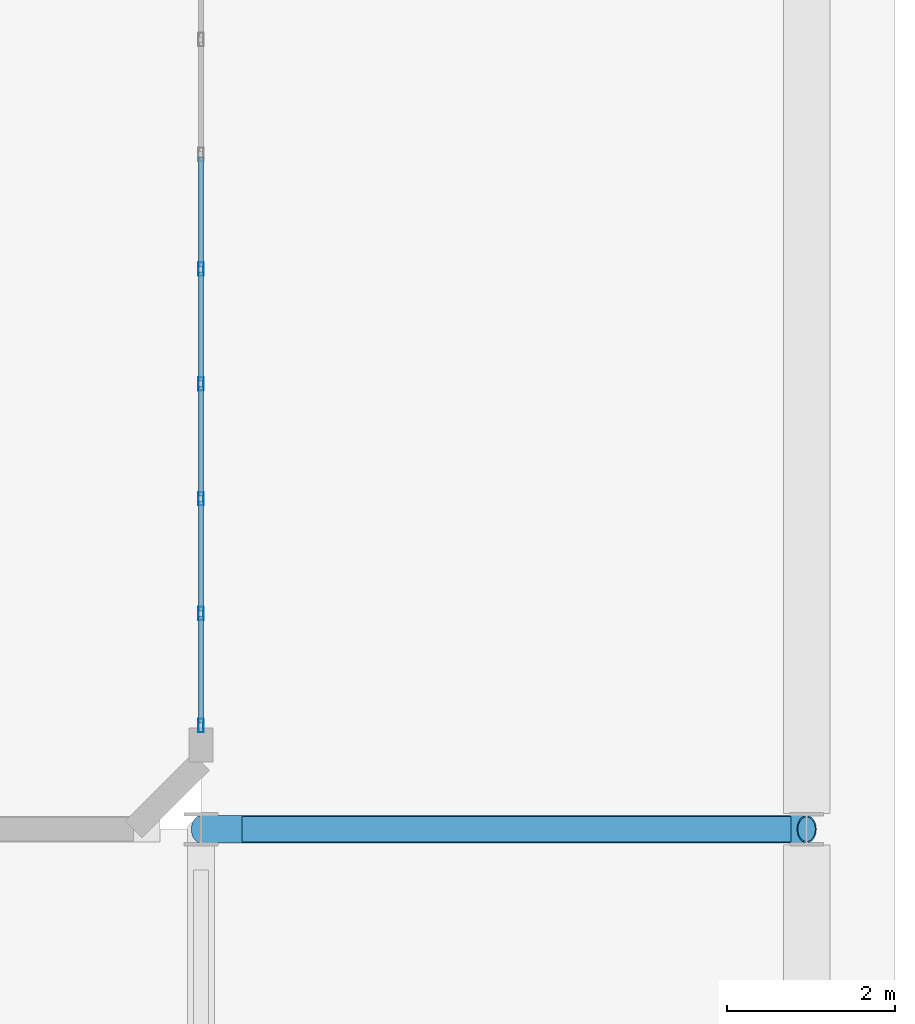
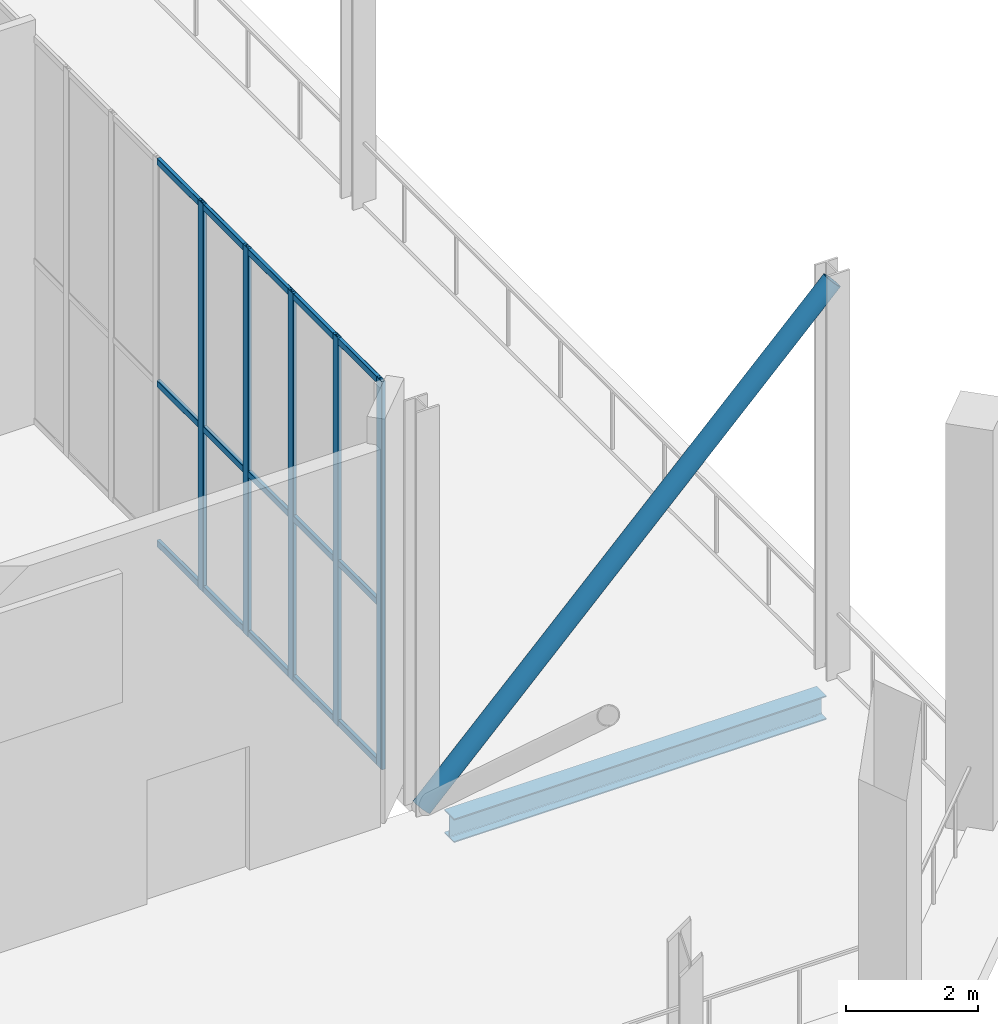
# One storey, part 16 of 23: 21 members, 1 beam, 1 element without a shape of its own.
"""IFC4 building model written with IfcOpenShell, lengths in metres."""

from ifc_helpers import new_model, si_unit, direction, frame, origin, origin_2d, place, context, subcontext, project, spatial, hollow_rectangle, hollow_circle, i_section, extrude, material, layer, layer_set, material_profile, profile_set, type_object, element, aggregate, save


model = new_model("IFC4")

# Units and contexts
model_context = context("Model", 3, precision=1e-05, world=origin(), true_north=direction((0.0, 1.0)))
body_context = subcontext(model_context, "Body", "Model", "MODEL_VIEW")
ifc_project = project(units=[si_unit("LENGTHUNIT", "METRE"), si_unit("AREAUNIT", "SQUARE_METRE"), si_unit("VOLUMEUNIT", "CUBIC_METRE"), si_unit("PLANEANGLEUNIT", "RADIAN"), si_unit("MASSUNIT", "GRAM", prefix="KILO")], contexts=[model_context])

# Site, building, storey
site_placement = place(None, origin())
site = spatial("IfcSite", under=ifc_project, at=site_placement, CompositionType="ELEMENT")
building_placement = place(site_placement, origin())
building = spatial("IfcBuilding", under=site, at=building_placement, Name="Kaelvorn Grand Hotel", CompositionType="ELEMENT")
storey_placement = place(building_placement, frame((0.0, 0.0, 310.699951171875)))
storey = spatial("IfcBuildingStorey", under=building, at=storey_placement, Name="L75", CompositionType="ELEMENT", Elevation=310.699951171875)

# Beam
ifc_material_1 = material(Name="Steel S355", Category="steel")
ifc_material_profile_1 = material_profile(ifc_material_1, i_section(OverallWidth=0.300048828125, OverallDepth=0.43994140625, WebThickness=0.011474609375, FlangeThickness=0.02099609375, FilletRadius=0.027099609375, at=origin_2d()), Name="HEA 450")
ifc_profile_set_1 = profile_set([ifc_material_profile_1], Name="Steel S355")
beam_type = type_object("IfcBeamType", Name="BM-G-HEA450-S355", PredefinedType="BEAM", material=ifc_profile_set_1)
beam_placement = place(storey_placement, frame((68.284912109375, 15.0, -0.52001953125), z_axis=(1.0, 0.0, 0.0), x_axis=(0.0, 1.0, 0.0)))
element("IfcBeam", 1, at=beam_placement, inside=storey, type_object=beam_type, Name="L75 Primary Spine Steel Girder G-15 05", PredefinedType="BEAM", context=body_context, shape_type="SweptSolid", body=[
    extrude(i_section(OverallWidth=0.300048828125, OverallDepth=0.43994140625, WebThickness=0.011474609375, FlangeThickness=0.02099609375, FilletRadius=0.027099609375, at=origin_2d()), origin(), (0.0, 0.0, 1.0), 6.530029296875),
])

# Curtain wall, members
ifc_material_2 = material(Name="Anodised Aluminium", Category="aluminium")
ifc_layer = layer(ifc_material_2, 0.159912109375)
ifc_layer_set = layer_set([ifc_layer], Name="Anodised Aluminium")
curtain_wall_type = type_object("IfcCurtainWallType", Name="CW-SYS6", PredefinedType="NOTDEFINED", material=ifc_layer_set)
curtain_wall_placement = place(storey_placement, origin())
curtain_wall = element("IfcCurtainWall", 2, at=curtain_wall_placement, inside=storey, type_object=curtain_wall_type, Name="L75 Unitised Curtain Wall CW6 (CW-L75-E-01)", PredefinedType="NOTDEFINED")
ifc_material_profile_2 = material_profile(ifc_material_2, hollow_rectangle(XDim=0.06494140625, YDim=0.159912109375, WallThickness=0.00341796875, InnerFilletRadius=0.00341796875, OuterFilletRadius=0.007080078125, at=origin_2d()), Name="ALU MULL 65x160")
ifc_profile_set_2 = profile_set([ifc_material_profile_2], Name="Anodised Aluminium")
member_type_1 = type_object("IfcMemberType", Name="CW-SYS6-MULL", PredefinedType="MULLION", material=ifc_profile_set_2)
member_1_placement = place(storey_placement, frame((67.800048828125, 16.232421875, 0.0), z_axis=(0.0, 0.0, 1.0), x_axis=(-1.0, 0.0, 0.0)))
member_1 = element("IfcMember", 3, at=member_1_placement, type_object=member_type_1, Name="CW6 mullion 1", PredefinedType="MULLION", context=body_context, shape_type="SweptSolid", body=[
    extrude(hollow_rectangle(XDim=0.06494140625, YDim=0.159912109375, WallThickness=0.00341796875, InnerFilletRadius=0.00341796875, OuterFilletRadius=0.007080078125, at=origin_2d()), origin(), (0.0, 0.0, 1.0), 7.199951171875),
])
member_2_placement = place(storey_placement, frame((67.800048828125, 17.564453125, 0.0), z_axis=(0.0, 0.0, 1.0), x_axis=(-1.0, 0.0, 0.0)))
member_2 = element("IfcMember", 4, at=member_2_placement, type_object=member_type_1, Name="CW6 mullion 2", PredefinedType="MULLION", context=body_context, shape_type="SweptSolid", body=[
    extrude(hollow_rectangle(XDim=0.06494140625, YDim=0.159912109375, WallThickness=0.00341796875, InnerFilletRadius=0.00341796875, OuterFilletRadius=0.007080078125, at=origin_2d()), origin(), (0.0, 0.0, 1.0), 7.199951171875),
])
member_3_placement = place(storey_placement, frame((67.800048828125, 18.928955078125, 0.0), z_axis=(0.0, 0.0, 1.0), x_axis=(-1.0, 0.0, 0.0)))
member_3 = element("IfcMember", 5, at=member_3_placement, type_object=member_type_1, Name="CW6 mullion 3", PredefinedType="MULLION", context=body_context, shape_type="SweptSolid", body=[
    extrude(hollow_rectangle(XDim=0.06494140625, YDim=0.159912109375, WallThickness=0.00341796875, InnerFilletRadius=0.00341796875, OuterFilletRadius=0.007080078125, at=origin_2d()), origin(), (0.0, 0.0, 1.0), 7.199951171875),
])
member_4_placement = place(storey_placement, frame((67.800048828125, 20.293212890625, 0.0), z_axis=(0.0, 0.0, 1.0), x_axis=(-1.0, 0.0, 0.0)))
member_4 = element("IfcMember", 6, at=member_4_placement, type_object=member_type_1, Name="CW6 mullion 4", PredefinedType="MULLION", context=body_context, shape_type="SweptSolid", body=[
    extrude(hollow_rectangle(XDim=0.06494140625, YDim=0.159912109375, WallThickness=0.00341796875, InnerFilletRadius=0.00341796875, OuterFilletRadius=0.007080078125, at=origin_2d()), origin(), (0.0, 0.0, 1.0), 7.199951171875),
])
member_5_placement = place(storey_placement, frame((67.800048828125, 21.65771484375, 0.0), z_axis=(0.0, 0.0, 1.0), x_axis=(-1.0, 0.0, 0.0)))
member_5 = element("IfcMember", 7, at=member_5_placement, type_object=member_type_1, Name="CW6 mullion 5", PredefinedType="MULLION", context=body_context, shape_type="SweptSolid", body=[
    extrude(hollow_rectangle(XDim=0.06494140625, YDim=0.159912109375, WallThickness=0.00341796875, InnerFilletRadius=0.00341796875, OuterFilletRadius=0.007080078125, at=origin_2d()), origin(), (0.0, 0.0, 1.0), 7.199951171875),
])
ifc_material_profile_3 = material_profile(ifc_material_2, hollow_rectangle(XDim=0.06494140625, YDim=0.1201171875, WallThickness=0.00341796875, InnerFilletRadius=0.00341796875, OuterFilletRadius=0.007080078125, at=origin_2d()), Name="ALU TRAN 65x120")
ifc_profile_set_3 = profile_set([ifc_material_profile_3], Name="Anodised Aluminium")
member_type_2 = type_object("IfcMemberType", Name="CW-SYS6-TRAN", PredefinedType="NOTDEFINED", material=ifc_profile_set_3)
member_6_placement = place(storey_placement, frame((67.800048828125, 16.264892578125, 0.06005859375), z_axis=(0.0, 1.0, 0.0), x_axis=(-1.0, 0.0, 0.0)))
member_6 = element("IfcMember", 8, at=member_6_placement, type_object=member_type_2, Name="CW6 transom 1.1", ObjectType="TRANSOM", PredefinedType="USERDEFINED", context=body_context, shape_type="SweptSolid", body=[
    extrude(hollow_rectangle(XDim=0.06494140625, YDim=0.1201171875, WallThickness=0.00341796875, InnerFilletRadius=0.00341796875, OuterFilletRadius=0.007080078125, at=origin_2d()), origin(), (0.0, 0.0, 1.0), 1.26708984375),
])
member_7_placement = place(storey_placement, frame((67.800048828125, 16.264892578125, 3.024169921875), z_axis=(0.0, 1.0, 0.0), x_axis=(-1.0, 0.0, 0.0)))
member_7 = element("IfcMember", 9, at=member_7_placement, type_object=member_type_2, Name="CW6 transom 1.2", ObjectType="TRANSOM", PredefinedType="USERDEFINED", context=body_context, shape_type="SweptSolid", body=[
    extrude(hollow_rectangle(XDim=0.06494140625, YDim=0.1201171875, WallThickness=0.00341796875, InnerFilletRadius=0.00341796875, OuterFilletRadius=0.007080078125, at=origin_2d()), origin(), (0.0, 0.0, 1.0), 1.26708984375),
])
member_8_placement = place(storey_placement, frame((67.800048828125, 16.264892578125, 7.14013671875), z_axis=(0.0, 1.0, 0.0), x_axis=(-1.0, 0.0, 0.0)))
member_8 = element("IfcMember", 10, at=member_8_placement, type_object=member_type_2, Name="CW6 transom 1.3", ObjectType="TRANSOM", PredefinedType="USERDEFINED", context=body_context, shape_type="SweptSolid", body=[
    extrude(hollow_rectangle(XDim=0.06494140625, YDim=0.1201171875, WallThickness=0.00341796875, InnerFilletRadius=0.00341796875, OuterFilletRadius=0.007080078125, at=origin_2d()), origin(), (0.0, 0.0, 1.0), 1.26708984375),
])
member_9_placement = place(storey_placement, frame((67.800048828125, 17.596923828125, 0.06005859375), z_axis=(0.0, 1.0, 0.0), x_axis=(-1.0, 0.0, 0.0)))
member_9 = element("IfcMember", 11, at=member_9_placement, type_object=member_type_2, Name="CW6 transom 2.1", ObjectType="TRANSOM", PredefinedType="USERDEFINED", context=body_context, shape_type="SweptSolid", body=[
    extrude(hollow_rectangle(XDim=0.06494140625, YDim=0.1201171875, WallThickness=0.00341796875, InnerFilletRadius=0.00341796875, OuterFilletRadius=0.007080078125, at=origin_2d()), origin(), (0.0, 0.0, 1.0), 1.299560546875),
])
member_10_placement = place(storey_placement, frame((67.800048828125, 17.596923828125, 3.024169921875), z_axis=(0.0, 1.0, 0.0), x_axis=(-1.0, 0.0, 0.0)))
member_10 = element("IfcMember", 12, at=member_10_placement, type_object=member_type_2, Name="CW6 transom 2.2", ObjectType="TRANSOM", PredefinedType="USERDEFINED", context=body_context, shape_type="SweptSolid", body=[
    extrude(hollow_rectangle(XDim=0.06494140625, YDim=0.1201171875, WallThickness=0.00341796875, InnerFilletRadius=0.00341796875, OuterFilletRadius=0.007080078125, at=origin_2d()), origin(), (0.0, 0.0, 1.0), 1.299560546875),
])
member_11_placement = place(storey_placement, frame((67.800048828125, 17.596923828125, 7.14013671875), z_axis=(0.0, 1.0, 0.0), x_axis=(-1.0, 0.0, 0.0)))
member_11 = element("IfcMember", 13, at=member_11_placement, type_object=member_type_2, Name="CW6 transom 2.3", ObjectType="TRANSOM", PredefinedType="USERDEFINED", context=body_context, shape_type="SweptSolid", body=[
    extrude(hollow_rectangle(XDim=0.06494140625, YDim=0.1201171875, WallThickness=0.00341796875, InnerFilletRadius=0.00341796875, OuterFilletRadius=0.007080078125, at=origin_2d()), origin(), (0.0, 0.0, 1.0), 1.299560546875),
])
member_12_placement = place(storey_placement, frame((67.800048828125, 18.96142578125, 0.06005859375), z_axis=(0.0, 1.0, 0.0), x_axis=(-1.0, 0.0, 0.0)))
member_12 = element("IfcMember", 14, at=member_12_placement, type_object=member_type_2, Name="CW6 transom 3.1", ObjectType="TRANSOM", PredefinedType="USERDEFINED", context=body_context, shape_type="SweptSolid", body=[
    extrude(hollow_rectangle(XDim=0.06494140625, YDim=0.1201171875, WallThickness=0.00341796875, InnerFilletRadius=0.00341796875, OuterFilletRadius=0.007080078125, at=origin_2d()), origin(), (0.0, 0.0, 1.0), 1.29931640625),
])
member_13_placement = place(storey_placement, frame((67.800048828125, 18.96142578125, 3.024169921875), z_axis=(0.0, 1.0, 0.0), x_axis=(-1.0, 0.0, 0.0)))
member_13 = element("IfcMember", 15, at=member_13_placement, type_object=member_type_2, Name="CW6 transom 3.2", ObjectType="TRANSOM", PredefinedType="USERDEFINED", context=body_context, shape_type="SweptSolid", body=[
    extrude(hollow_rectangle(XDim=0.06494140625, YDim=0.1201171875, WallThickness=0.00341796875, InnerFilletRadius=0.00341796875, OuterFilletRadius=0.007080078125, at=origin_2d()), origin(), (0.0, 0.0, 1.0), 1.29931640625),
])
member_14_placement = place(storey_placement, frame((67.800048828125, 18.96142578125, 7.14013671875), z_axis=(0.0, 1.0, 0.0), x_axis=(-1.0, 0.0, 0.0)))
member_14 = element("IfcMember", 16, at=member_14_placement, type_object=member_type_2, Name="CW6 transom 3.3", ObjectType="TRANSOM", PredefinedType="USERDEFINED", context=body_context, shape_type="SweptSolid", body=[
    extrude(hollow_rectangle(XDim=0.06494140625, YDim=0.1201171875, WallThickness=0.00341796875, InnerFilletRadius=0.00341796875, OuterFilletRadius=0.007080078125, at=origin_2d()), origin(), (0.0, 0.0, 1.0), 1.29931640625),
])
member_15_placement = place(storey_placement, frame((67.800048828125, 20.325927734375, 0.06005859375), z_axis=(0.0, 1.0, 0.0), x_axis=(-1.0, 0.0, 0.0)))
member_15 = element("IfcMember", 17, at=member_15_placement, type_object=member_type_2, Name="CW6 transom 4.1", ObjectType="TRANSOM", PredefinedType="USERDEFINED", context=body_context, shape_type="SweptSolid", body=[
    extrude(hollow_rectangle(XDim=0.06494140625, YDim=0.1201171875, WallThickness=0.00341796875, InnerFilletRadius=0.00341796875, OuterFilletRadius=0.007080078125, at=origin_2d()), origin(), (0.0, 0.0, 1.0), 1.29931640625),
])
member_16_placement = place(storey_placement, frame((67.800048828125, 20.325927734375, 3.024169921875), z_axis=(0.0, 1.0, 0.0), x_axis=(-1.0, 0.0, 0.0)))
member_16 = element("IfcMember", 18, at=member_16_placement, type_object=member_type_2, Name="CW6 transom 4.2", ObjectType="TRANSOM", PredefinedType="USERDEFINED", context=body_context, shape_type="SweptSolid", body=[
    extrude(hollow_rectangle(XDim=0.06494140625, YDim=0.1201171875, WallThickness=0.00341796875, InnerFilletRadius=0.00341796875, OuterFilletRadius=0.007080078125, at=origin_2d()), origin(), (0.0, 0.0, 1.0), 1.29931640625),
])
member_17_placement = place(storey_placement, frame((67.800048828125, 20.325927734375, 7.14013671875), z_axis=(0.0, 1.0, 0.0), x_axis=(-1.0, 0.0, 0.0)))
member_17 = element("IfcMember", 19, at=member_17_placement, type_object=member_type_2, Name="CW6 transom 4.3", ObjectType="TRANSOM", PredefinedType="USERDEFINED", context=body_context, shape_type="SweptSolid", body=[
    extrude(hollow_rectangle(XDim=0.06494140625, YDim=0.1201171875, WallThickness=0.00341796875, InnerFilletRadius=0.00341796875, OuterFilletRadius=0.007080078125, at=origin_2d()), origin(), (0.0, 0.0, 1.0), 1.29931640625),
])
member_18_placement = place(storey_placement, frame((67.800048828125, 21.690185546875, 0.06005859375), z_axis=(0.0, 1.0, 0.0), x_axis=(-1.0, 0.0, 0.0)))
member_18 = element("IfcMember", 20, at=member_18_placement, type_object=member_type_2, Name="CW6 transom 5.1", ObjectType="TRANSOM", PredefinedType="USERDEFINED", context=body_context, shape_type="SweptSolid", body=[
    extrude(hollow_rectangle(XDim=0.06494140625, YDim=0.1201171875, WallThickness=0.00341796875, InnerFilletRadius=0.00341796875, OuterFilletRadius=0.007080078125, at=origin_2d()), origin(), (0.0, 0.0, 1.0), 1.299560546875),
])
member_19_placement = place(storey_placement, frame((67.800048828125, 21.690185546875, 3.024169921875), z_axis=(0.0, 1.0, 0.0), x_axis=(-1.0, 0.0, 0.0)))
member_19 = element("IfcMember", 21, at=member_19_placement, type_object=member_type_2, Name="CW6 transom 5.2", ObjectType="TRANSOM", PredefinedType="USERDEFINED", context=body_context, shape_type="SweptSolid", body=[
    extrude(hollow_rectangle(XDim=0.06494140625, YDim=0.1201171875, WallThickness=0.00341796875, InnerFilletRadius=0.00341796875, OuterFilletRadius=0.007080078125, at=origin_2d()), origin(), (0.0, 0.0, 1.0), 1.299560546875),
])
member_20_placement = place(storey_placement, frame((67.800048828125, 21.690185546875, 7.14013671875), z_axis=(0.0, 1.0, 0.0), x_axis=(-1.0, 0.0, 0.0)))
member_20 = element("IfcMember", 22, at=member_20_placement, type_object=member_type_2, Name="CW6 transom 5.3", ObjectType="TRANSOM", PredefinedType="USERDEFINED", context=body_context, shape_type="SweptSolid", body=[
    extrude(hollow_rectangle(XDim=0.06494140625, YDim=0.1201171875, WallThickness=0.00341796875, InnerFilletRadius=0.00341796875, OuterFilletRadius=0.007080078125, at=origin_2d()), origin(), (0.0, 0.0, 1.0), 1.299560546875),
])
aggregate(curtain_wall, [member_1, member_2, member_3, member_4, member_5, member_6, member_7, member_8, member_9, member_10, member_11, member_12, member_13, member_14, member_15, member_16, member_17, member_18, member_19, member_20])

# Member
ifc_material_profile_4 = material_profile(ifc_material_1, hollow_circle(Radius=0.161865234375, WallThickness=0.01611328125, at=origin_2d()), Name="CHS 323.9x16.0")
ifc_profile_set_4 = profile_set([ifc_material_profile_4], Name="Steel S355")
member_type_3 = type_object("IfcMemberType", Name="MB-CAN-STRUT-CHS324", PredefinedType="STRUT", material=ifc_profile_set_4)
member_21_placement = place(storey_placement, frame((67.800048828125, 15.0, 0.0), z_axis=(0.704653420573, 0.0, 0.70955165906), x_axis=(0.0, 1.0, 0.0)))
element("IfcMember", 23, at=member_21_placement, inside=storey, type_object=member_type_3, Name="L75 Crown Parasol Canopy Raking Strut 6", PredefinedType="STRUT", context=body_context, shape_type="SweptSolid", body=[
    extrude(hollow_circle(Radius=0.161865234375, WallThickness=0.01611328125, at=origin_2d()), origin(), (0.0, 0.0, 1.0), 10.2177734375),
])

save(model, "model.ifc")
